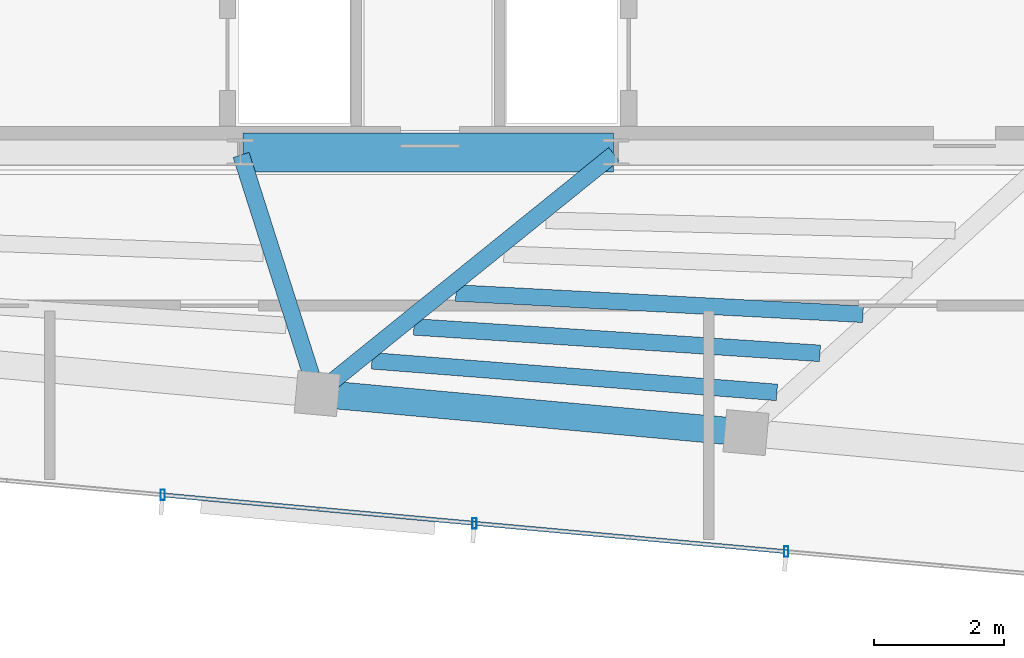
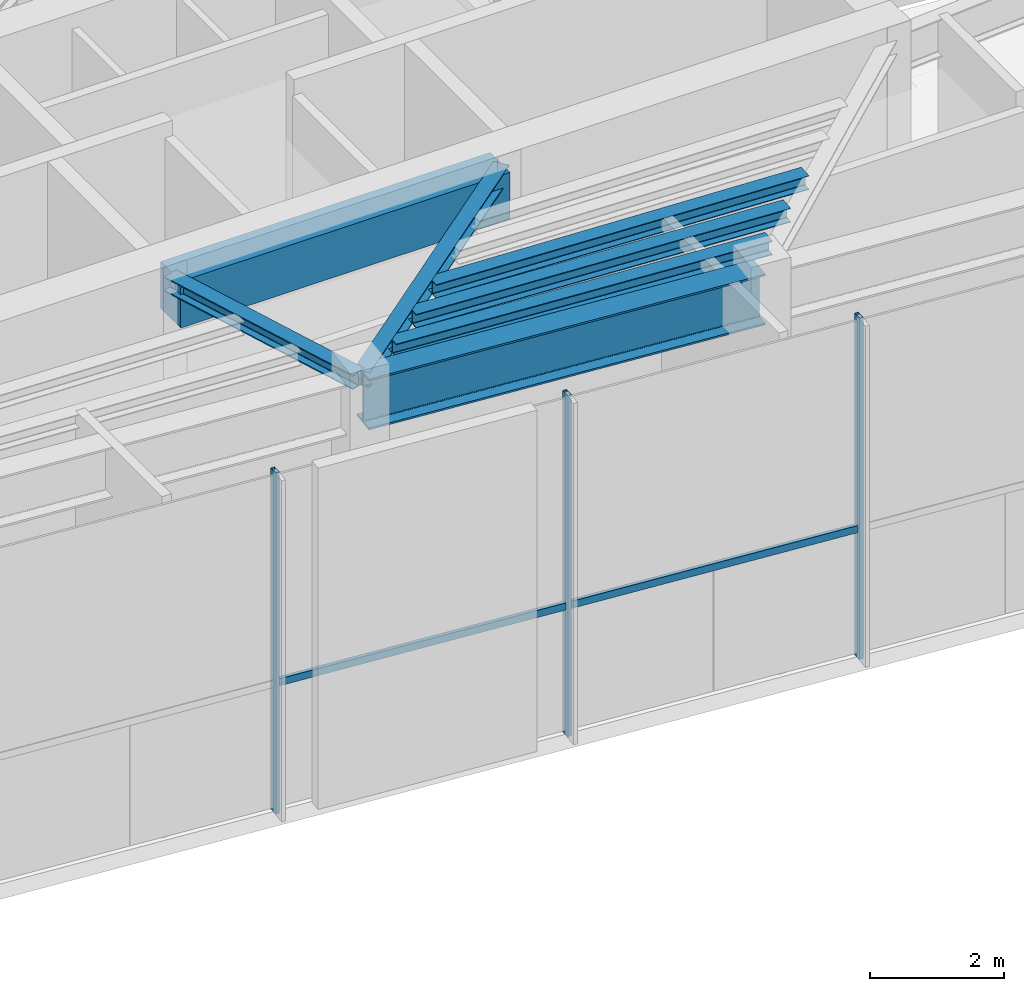
# One storey, part 6 of 19: 7 beams, 5 members, 1 element without a shape of its own.
"""IFC4 building model written with IfcOpenShell, lengths in metres."""

from ifc_helpers import new_model, si_unit, direction, frame, origin, origin_2d, place, context, subcontext, project, spatial, rectangle, hollow_rectangle, i_section, extrude, source, transform, mapped, material, material_profile, profile_set, type_object, type_shapes, element, aggregate, save


model = new_model("IFC4")

# Units and contexts
model_context = context("Model", 3, precision=1e-05, world=origin(), true_north=direction((0.0, 1.0)))
body_context = subcontext(model_context, "Body", "Model", "MODEL_VIEW")
ifc_project = project(units=[si_unit("LENGTHUNIT", "METRE"), si_unit("AREAUNIT", "SQUARE_METRE"), si_unit("VOLUMEUNIT", "CUBIC_METRE"), si_unit("PLANEANGLEUNIT", "RADIAN"), si_unit("MASSUNIT", "GRAM", prefix="KILO")], contexts=[model_context])

# Site, building, storey
site_placement = place(None, origin())
site = spatial("IfcSite", under=ifc_project, at=site_placement, CompositionType="ELEMENT")
building_placement = place(site_placement, origin())
building = spatial("IfcBuilding", under=site, at=building_placement, Name="Astriad Promenade Condominiums", CompositionType="ELEMENT")
storey_placement = place(building_placement, frame((0.0, 0.0, 283.800048828125)))
storey = spatial("IfcBuildingStorey", under=building, at=storey_placement, Name="L79", CompositionType="ELEMENT", Elevation=283.800048828125)

# Beams
ifc_material_1 = material(Name="Concrete C60/75", Category="concrete")
ifc_material_profile_1 = material_profile(ifc_material_1, rectangle(XDim=0.60009765625, YDim=0.85009765625, at=origin_2d()), Name="RC-BM-600X850")
ifc_profile_set_1 = profile_set([ifc_material_profile_1], Name="Concrete C60/75")
beam_type_1 = type_object("IfcBeamType", Name="CONCRETE CORE COUPLING LINTEL 600X850", PredefinedType="LINTEL", material=ifc_profile_set_1)
shared_shape_1 = source(origin(), body_context, "Body", "SweptSolid", [
    extrude(rectangle(XDim=0.60009765625, YDim=0.85009765625, at=origin_2d()), origin(), (0.0, 0.0, 1.0), 5.68017578125),
])
type_shapes(beam_type_1, [shared_shape_1])
beam_1_placement = place(storey_placement, frame((33.159912109375, 17.39990234375, 5.794921875), z_axis=(1.0, 0.0, 0.0), x_axis=(0.0, 1.0, 0.0)))
element("IfcBeam", 1, at=beam_1_placement, inside=storey, type_object=beam_type_1, Name="Core Ring Beam CG-S2-L79", PredefinedType="LINTEL", context=body_context, shape_type="MappedRepresentation", body=[
    mapped(shared_shape_1, transform((0.0, 0.0, 0.0), scale=1.0)),
])
ifc_material_2 = material(Name="Steel ASTM A992 Grade 50", Category="steel")
ifc_material_profile_2 = material_profile(ifc_material_2, i_section(OverallWidth=0.25732421875, OverallDepth=0.26416015625, WebThickness=0.011962890625, FlangeThickness=0.01953125, FilletRadius=0.0126953125, at=origin_2d()), Name="W10X68")
ifc_profile_set_2 = profile_set([ifc_material_profile_2], Name="Steel ASTM A992 Grade 50")
beam_type_2 = type_object("IfcBeamType", Name="STEEL CANOPY BEAM W10X68", PredefinedType="BEAM", material=ifc_profile_set_2)
shared_shape_2 = source(origin(), body_context, "Body", "SweptSolid", [
    extrude(i_section(OverallWidth=0.25732421875, OverallDepth=0.26416015625, WebThickness=0.011962890625, FlangeThickness=0.01953125, FilletRadius=0.0126953125, at=origin_2d()), origin(), (0.0, 0.0, 1.0), 3.801025390625),
])
beam_2_placement = place(storey_placement, frame((34.28759765625, 13.74072265625, 6.087890625), z_axis=(-0.304004205404, 0.952670689744, 0.0), x_axis=(-0.952670689744, -0.304004205404, 0.0)))
element("IfcBeam", 2, at=beam_2_placement, inside=storey, type_object=beam_type_2, Name="Primary Floor Girder PG-C1-L79", PredefinedType="BEAM", context=body_context, shape_type="MappedRepresentation", body=[
    mapped(shared_shape_2, transform((0.0, 0.0, 0.0), scale=1.0)),
])
shared_shape_3 = source(origin(), body_context, "Body", "SweptSolid", [
    extrude(i_section(OverallWidth=0.25732421875, OverallDepth=0.26416015625, WebThickness=0.011962890625, FlangeThickness=0.01953125, FilletRadius=0.0126953125, at=origin_2d()), origin(), (0.0, 0.0, 1.0), 5.806396484375),
])
type_shapes(beam_type_2, [shared_shape_2, shared_shape_3])
beam_3_placement = place(storey_placement, frame((34.330810546875, 13.727783203125, 6.087890625), z_axis=(0.77810873544, 0.628129601143, 0.0), x_axis=(-0.628129601143, 0.77810873544, 0.0)))
element("IfcBeam", 3, at=beam_3_placement, inside=storey, type_object=beam_type_2, Name="Primary Floor Girder PG-C2-L79", PredefinedType="BEAM", context=body_context, shape_type="MappedRepresentation", body=[
    mapped(shared_shape_3, transform((0.0, 0.0, 0.0), scale=1.0)),
])
ifc_material_profile_3 = material_profile(ifc_material_2, i_section(OverallWidth=0.418212890625, OverallDepth=0.926513671875, WebThickness=0.019287109375, FlangeThickness=0.031982421875, FilletRadius=0.024169921875, at=origin_2d()), Name="W36X231")
ifc_profile_set_3 = profile_set([ifc_material_profile_3], Name="Steel ASTM A992 Grade 50")
beam_type_3 = type_object("IfcBeamType", Name="STEEL CROWN RING BEAM W36X231", PredefinedType="BEAM", material=ifc_profile_set_3)
shared_shape_4 = source(origin(), body_context, "Body", "SweptSolid", [
    extrude(i_section(OverallWidth=0.418212890625, OverallDepth=0.926513671875, WebThickness=0.019287109375, FlangeThickness=0.031982421875, FilletRadius=0.024169921875, at=origin_2d()), origin(), (0.0, 0.0, 1.0), 6.52001953125),
])
type_shapes(beam_type_3, [shared_shape_4])
beam_4_placement = place(storey_placement, frame((34.339599609375, 13.69921875, 5.756591796875), z_axis=(0.995882457091, -0.090653911438, 0.0), x_axis=(0.090653911438, 0.995882457091, 0.0)))
element("IfcBeam", 4, at=beam_4_placement, inside=storey, type_object=beam_type_3, Name="Perimeter Spandrel Beam SP-S3-L79", PredefinedType="BEAM", context=body_context, shape_type="MappedRepresentation", body=[
    mapped(shared_shape_4, transform((0.0, 0.0, 0.0), scale=1.0)),
])
ifc_material_profile_4 = material_profile(ifc_material_2, i_section(OverallWidth=0.25390625, OverallDepth=0.25390625, WebThickness=0.008544921875, FlangeThickness=0.01416015625, FilletRadius=0.0126953125, at=origin_2d()), Name="W10X49")
ifc_profile_set_4 = profile_set([ifc_material_profile_4], Name="Steel ASTM A992 Grade 50")
beam_type_4 = type_object("IfcBeamType", Name="STEEL TRIMMER JOIST W10X49", PredefinedType="JOIST", material=ifc_profile_set_4)
shared_shape_5 = source(origin(), body_context, "Body", "SweptSolid", [
    extrude(i_section(OverallWidth=0.25390625, OverallDepth=0.25390625, WebThickness=0.008544921875, FlangeThickness=0.01416015625, FilletRadius=0.0126953125, at=origin_2d()), origin(), (0.0, 0.0, 1.0), 6.229248046875),
])
beam_5_placement = place(storey_placement, frame((35.1376953125, 14.205078125, 6.093017578125), z_axis=(0.996969269926, -0.077796367671, 0.0), x_axis=(0.077796367671, 0.996969269926, 0.0)))
element("IfcBeam", 5, at=beam_5_placement, inside=storey, type_object=beam_type_4, Name="Secondary Composite Floor Joist JCE-1-L79", PredefinedType="JOIST", context=body_context, shape_type="MappedRepresentation", body=[
    mapped(shared_shape_5, transform((0.0, 0.0, 0.0), scale=1.0)),
])
shared_shape_6 = source(origin(), body_context, "Body", "SweptSolid", [
    extrude(i_section(OverallWidth=0.25390625, OverallDepth=0.25390625, WebThickness=0.008544921875, FlangeThickness=0.01416015625, FilletRadius=0.0126953125, at=origin_2d()), origin(), (0.0, 0.0, 1.0), 6.2392578125),
])
beam_6_placement = place(storey_placement, frame((35.78173828125, 14.72509765625, 6.093017578125), z_axis=(0.997885626564, -0.064994432818, 0.0), x_axis=(0.064994432818, 0.997885626564, 0.0)))
element("IfcBeam", 6, at=beam_6_placement, inside=storey, type_object=beam_type_4, Name="Secondary Composite Floor Joist JCE-2-L79", PredefinedType="JOIST", context=body_context, shape_type="MappedRepresentation", body=[
    mapped(shared_shape_6, transform((0.0, 0.0, 0.0), scale=1.0)),
])
shared_shape_7 = source(origin(), body_context, "Body", "SweptSolid", [
    extrude(i_section(OverallWidth=0.25390625, OverallDepth=0.25390625, WebThickness=0.008544921875, FlangeThickness=0.01416015625, FilletRadius=0.0126953125, at=origin_2d()), origin(), (0.0, 0.0, 1.0), 6.25),
])
type_shapes(beam_type_4, [shared_shape_5, shared_shape_6, shared_shape_7])
beam_7_placement = place(storey_placement, frame((36.42578125, 15.2451171875, 6.093017578125), z_axis=(0.998635255149, -0.052226690246, 0.0), x_axis=(0.052226690246, 0.998635255149, 0.0)))
element("IfcBeam", 7, at=beam_7_placement, inside=storey, type_object=beam_type_4, Name="Secondary Composite Floor Joist JCE-3-L79", PredefinedType="JOIST", context=body_context, shape_type="MappedRepresentation", body=[
    mapped(shared_shape_7, transform((0.0, 0.0, 0.0), scale=1.0)),
])

# Curtain wall, members
ifc_material_3 = material(Name="Anodised aluminium Black Dark Glass Unitised", Category="aluminium")
curtain_wall_type = type_object("IfcCurtainWallType", Name="CW-TMD-LANTERN", PredefinedType="USERDEFINED", material=ifc_material_3)
curtain_wall_placement = place(storey_placement, origin())
curtain_wall = element("IfcCurtainWall", 8, at=curtain_wall_placement, inside=storey, type_object=curtain_wall_type, Name="CW-CRN-L79-18", ObjectType="UNITISED_CURTAIN_WALL", PredefinedType="USERDEFINED")
ifc_material_4 = material(Name="Anodised aluminium 6063-T6 Black", Category="aluminium")
ifc_material_profile_5 = material_profile(ifc_material_4, hollow_rectangle(XDim=0.06494140625, YDim=0.159912109375, WallThickness=0.00390625, at=origin_2d()), Name="ALU-MUL-65X160")
ifc_profile_set_5 = profile_set([ifc_material_profile_5], Name="Anodised aluminium 6063-T6 Black")
member_type_1 = type_object("IfcMemberType", Name="MUL-ALU-MUL-65X160", PredefinedType="MULLION", material=ifc_profile_set_5)
shared_shape_8 = source(origin(), body_context, "Body", "SweptSolid", [
    extrude(hollow_rectangle(XDim=0.06494140625, YDim=0.159912109375, WallThickness=0.00390625, at=origin_2d()), origin(), (0.0, 0.0, 1.0), 6.219970703125),
])
type_shapes(member_type_1, [shared_shape_8])
member_1_placement = place(storey_placement, frame((41.490478515625, 11.2783203125, 0.0), z_axis=(0.0, 0.0, 1.0), x_axis=(1.0, 0.0, 0.0)))
member_1 = element("IfcMember", 9, at=member_1_placement, type_object=member_type_1, Name="CW-CRN-L79-18-MUL-02", PredefinedType="MULLION", context=body_context, shape_type="MappedRepresentation", body=[
    mapped(shared_shape_8, transform((0.0, 0.0, 0.0), scale=1.0)),
])
member_2_placement = place(storey_placement, frame((36.71044921875, 11.71337890625, 0.0), z_axis=(0.0, 0.0, 1.0), x_axis=(1.0, 0.0, 0.0)))
member_2 = element("IfcMember", 10, at=member_2_placement, type_object=member_type_1, Name="CW-CRN-L79-18-MUL-03", PredefinedType="MULLION", context=body_context, shape_type="MappedRepresentation", body=[
    mapped(shared_shape_8, transform((0.0, 0.0, 0.0), scale=1.0)),
])
member_3_placement = place(storey_placement, frame((31.93017578125, 12.1484375, 0.0), z_axis=(0.0, 0.0, 1.0), x_axis=(1.0, 0.0, 0.0)))
member_3 = element("IfcMember", 11, at=member_3_placement, type_object=member_type_1, Name="CW-CRN-L79-18-MUL-04", PredefinedType="MULLION", context=body_context, shape_type="MappedRepresentation", body=[
    mapped(shared_shape_8, transform((0.0, 0.0, 0.0), scale=1.0)),
])
ifc_material_profile_6 = material_profile(ifc_material_4, hollow_rectangle(XDim=0.06494140625, YDim=0.1298828125, WallThickness=0.00390625, at=origin_2d()), Name="ALU-TRN-65X130")
ifc_profile_set_6 = profile_set([ifc_material_profile_6], Name="Anodised aluminium 6063-T6 Black")
member_type_2 = type_object("IfcMemberType", Name="TRN-ALU-TRN-65X130", PredefinedType="USERDEFINED", material=ifc_profile_set_6)
shared_shape_9 = source(origin(), body_context, "Body", "SweptSolid", [
    extrude(hollow_rectangle(XDim=0.06494140625, YDim=0.1298828125, WallThickness=0.00390625, at=origin_2d()), origin(), (0.0, 0.0, 1.0), 4.7998046875),
])
member_4_placement = place(storey_placement, frame((41.490478515625, 11.2783203125, 2.349853515625), z_axis=(-0.9958836116, 0.090641227635, 0.0), x_axis=(-0.090641227635, -0.9958836116, 0.0)))
member_4 = element("IfcMember", 12, at=member_4_placement, type_object=member_type_2, Name="CW-CRN-L79-18-TRN-02-0", ObjectType="TRANSOM", PredefinedType="USERDEFINED", context=body_context, shape_type="MappedRepresentation", body=[
    mapped(shared_shape_9, transform((0.0, 0.0, 0.0), scale=1.0)),
])
shared_shape_10 = source(origin(), body_context, "Body", "SweptSolid", [
    extrude(hollow_rectangle(XDim=0.06494140625, YDim=0.1298828125, WallThickness=0.00390625, at=origin_2d()), origin(), (0.0, 0.0, 1.0), 4.800048828125),
])
type_shapes(member_type_2, [shared_shape_9, shared_shape_10])
member_5_placement = place(storey_placement, frame((36.71044921875, 11.71337890625, 2.349853515625), z_axis=(-0.995884029465, 0.09063663639, 0.0), x_axis=(-0.09063663639, -0.995884029465, 0.0)))
member_5 = element("IfcMember", 13, at=member_5_placement, type_object=member_type_2, Name="CW-CRN-L79-18-TRN-03-0", ObjectType="TRANSOM", PredefinedType="USERDEFINED", context=body_context, shape_type="MappedRepresentation", body=[
    mapped(shared_shape_10, transform((0.0, 0.0, 0.0), scale=1.0)),
])
aggregate(curtain_wall, [member_1, member_2, member_3, member_4, member_5])

save(model, "model.ifc")
